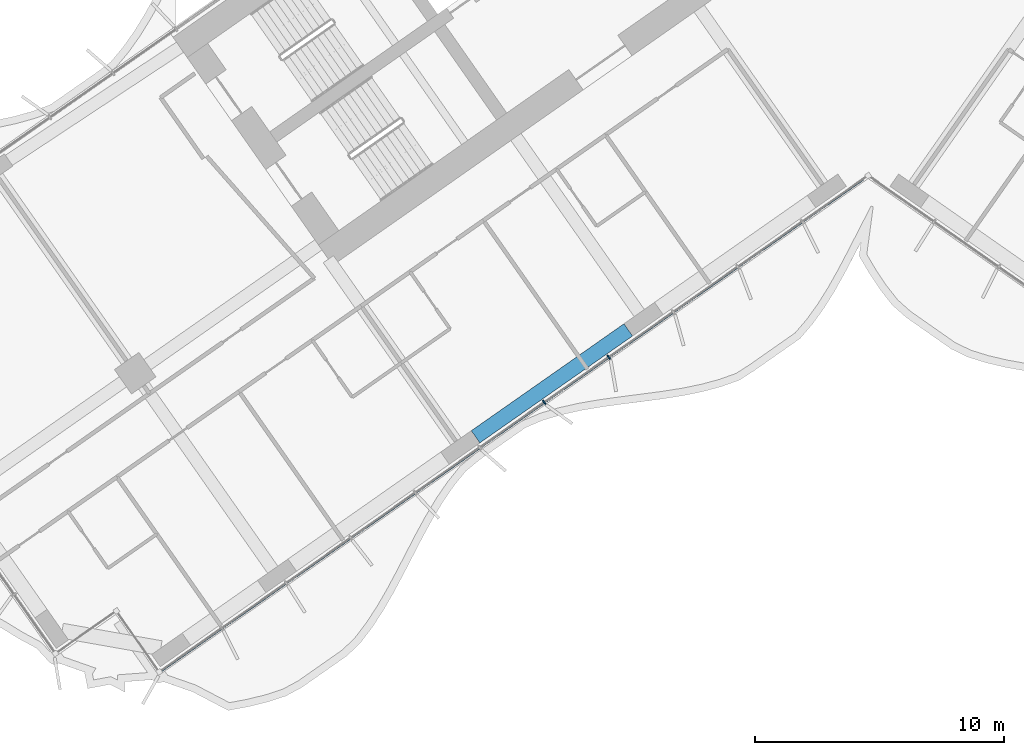
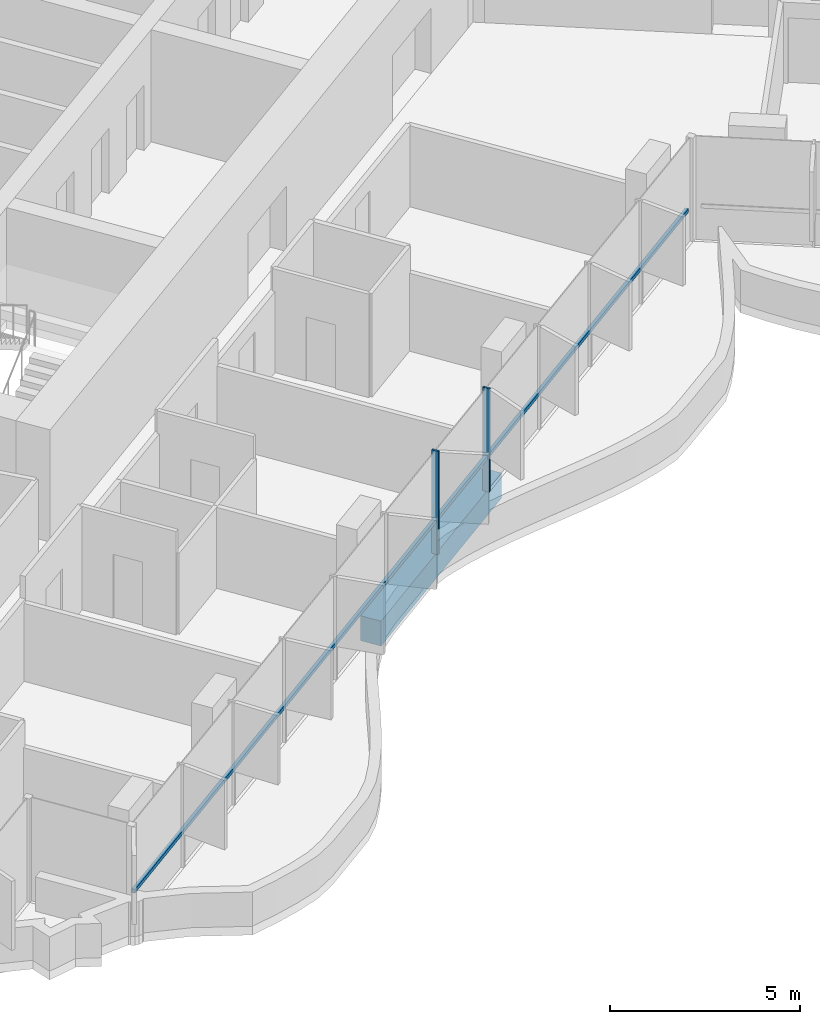
# One storey, part 3 of 23: 3 members, 1 beam, 1 element without a shape of its own.
"""IFC4 building model written with IfcOpenShell, lengths in metres."""

from ifc_helpers import new_model, si_unit, direction, frame, origin, origin_2d, place, context, subcontext, project, spatial, rectangle, extrude, material, material_profile, profile_set, type_object, element, aggregate, save


model = new_model("IFC4")

# Units and contexts
model_context = context("Model", 3, precision=1e-05, world=origin(), true_north=direction((0.0, 1.0)))
body_context = subcontext(model_context, "Body", "Model", "MODEL_VIEW")
ifc_project = project(units=[si_unit("LENGTHUNIT", "METRE"), si_unit("AREAUNIT", "SQUARE_METRE"), si_unit("VOLUMEUNIT", "CUBIC_METRE"), si_unit("PLANEANGLEUNIT", "RADIAN"), si_unit("MASSUNIT", "GRAM", prefix="KILO")], contexts=[model_context])

# Site, building, storey
site_placement = place(None, origin())
site = spatial("IfcSite", under=ifc_project, at=site_placement, CompositionType="ELEMENT")
building_placement = place(site_placement, origin())
building = spatial("IfcBuilding", under=site, at=building_placement, Name="Tel Ilan Convention Tower", CompositionType="ELEMENT")
storey_placement = place(building_placement, frame((0.0, 0.0, 115.699951171875)))
storey = spatial("IfcBuildingStorey", under=building, at=storey_placement, Name="L25", CompositionType="ELEMENT", Elevation=115.699951171875)

# Beam
ifc_material_1 = material(Name="Concrete C40/50", Category="concrete")
ifc_material_profile_1 = material_profile(ifc_material_1, rectangle(XDim=0.60009765625, YDim=0.800048828125, at=origin_2d()), Name="RC 600x800")
ifc_profile_set_1 = profile_set([ifc_material_profile_1], Name="Concrete C40/50")
beam_type = type_object("IfcBeamType", Name="Beam RC 600x800 Concrete C40/50", PredefinedType="BEAM", material=ifc_profile_set_1)
beam_placement = place(storey_placement, frame((-9.652099609375, -18.905029296875, -0.679931640625), z_axis=(-0.81915238829, -0.573575945067, 0.0), x_axis=(0.573575945067, -0.81915238829, 0.0)))
element("IfcBeam", 1, at=beam_placement, inside=storey, type_object=beam_type, Name="L25 beam W-W-F2-W-F3", PredefinedType="BEAM", context=body_context, shape_type="SweptSolid", body=[
    extrude(rectangle(XDim=0.60009765625, YDim=0.800048828125, at=origin_2d()), origin(), (0.0, 0.0, 1.0), 7.5),
])

# Curtain wall, members
ifc_material_2 = material(Name="Aluminium, bronze anodised", Category="aluminium")
curtain_wall_type = type_object("IfcCurtainWallType", Name="CW1 UNITISED CURTAIN WALL, HOTEL TINTED GLASS", PredefinedType="NOTDEFINED", material=ifc_material_2)
curtain_wall_placement = place(storey_placement, origin())
curtain_wall = element("IfcCurtainWall", 2, at=curtain_wall_placement, inside=storey, type_object=curtain_wall_type, Name="Curtain wall CW1-20.02", PredefinedType="NOTDEFINED")
ifc_material_3 = material(Name="Aluminium, bronze anodised", Category="aluminium")
ifc_material_profile_2 = material_profile(ifc_material_3, rectangle(XDim=0.06005859375, YDim=0.199951171875, at=origin_2d()), Name="CW MULLION 60x200")
ifc_profile_set_2 = profile_set([ifc_material_profile_2], Name="Aluminium, bronze anodised")
member_type_1 = type_object("IfcMemberType", Name="CW MULLION 60x200", PredefinedType="MULLION", material=ifc_profile_set_2)
member_1_placement = place(storey_placement, frame((-13.03271484375, -21.821533203125, 0.0), z_axis=(0.0, 0.0, 1.0), x_axis=(0.819152044289, 0.573576436351, 0.0)))
member_1 = element("IfcMember", 3, at=member_1_placement, type_object=member_type_1, Name="Mullion", PredefinedType="MULLION", context=body_context, shape_type="SweptSolid", body=[
    extrude(rectangle(XDim=0.06005859375, YDim=0.199951171875, at=origin_2d()), origin(), (0.0, 0.0, 1.0), 3.320068359375),
])
member_2_placement = place(storey_placement, frame((-10.4375, -20.004638671875, 0.0), z_axis=(0.0, 0.0, 1.0), x_axis=(0.819152044289, 0.573576436351, 0.0)))
member_2 = element("IfcMember", 4, at=member_2_placement, type_object=member_type_1, Name="Mullion", PredefinedType="MULLION", context=body_context, shape_type="SweptSolid", body=[
    extrude(rectangle(XDim=0.06005859375, YDim=0.199951171875, at=origin_2d()), origin(), (0.0, 0.0, 1.0), 3.320068359375),
])
ifc_material_4 = material(Name="Aluminium, bronze anodised", Category="aluminium")
ifc_material_profile_3 = material_profile(ifc_material_4, rectangle(XDim=0.10009765625, YDim=0.1201171875, at=origin_2d()), Name="CW TRANSOM 100x120")
ifc_profile_set_3 = profile_set([ifc_material_profile_3], Name="Aluminium, bronze anodised")
member_type_2 = type_object("IfcMemberType", Name="CW TRANSOM 100x120", PredefinedType="USERDEFINED", material=ifc_profile_set_3)
member_3_placement = place(storey_placement, frame((-28.439208984375, -32.609375, 1.10009765625), z_axis=(0.819151003602, 0.573577922604, 0.0), x_axis=(-0.573577922604, 0.819151003602, 0.0)))
member_3 = element("IfcMember", 5, at=member_3_placement, type_object=member_type_2, Name="Transom", ObjectType="TRANSOM", PredefinedType="USERDEFINED", context=body_context, shape_type="SweptSolid", body=[
    extrude(rectangle(XDim=0.10009765625, YDim=0.1201171875, at=origin_2d()), origin(), (0.0, 0.0, 1.0), 34.447998046875),
])
aggregate(curtain_wall, [member_1, member_2, member_3])

save(model, "model.ifc")
